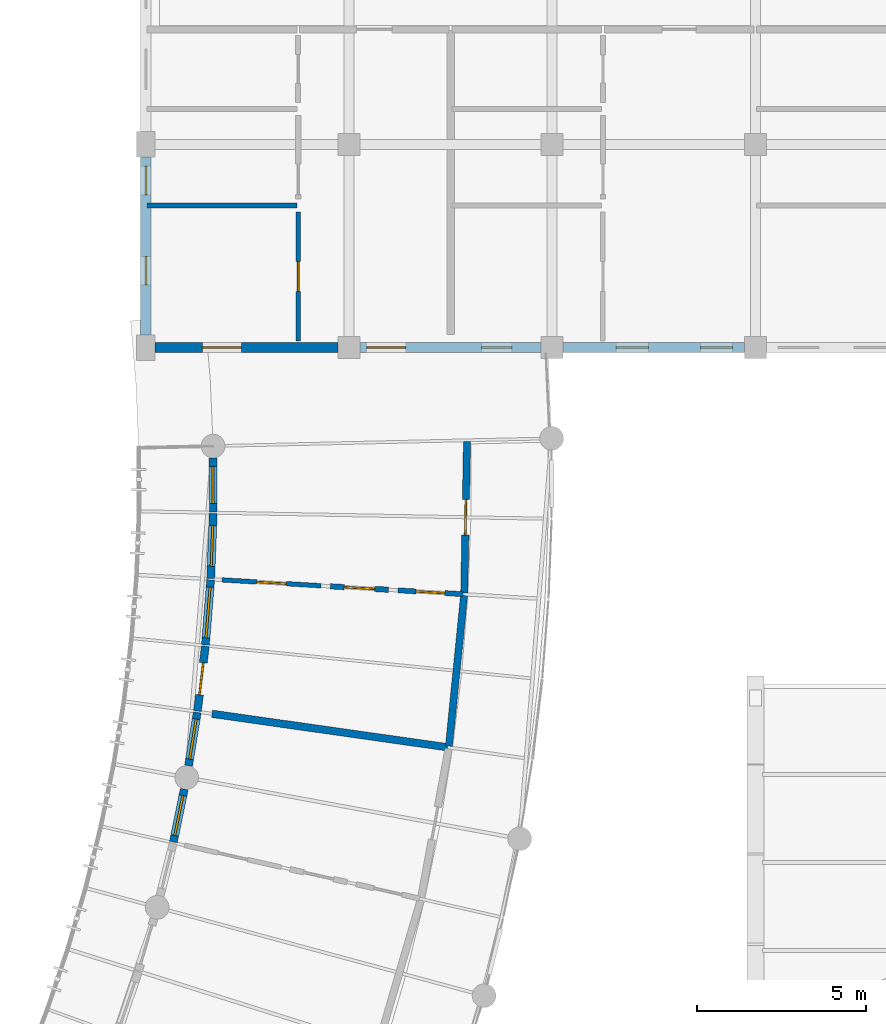
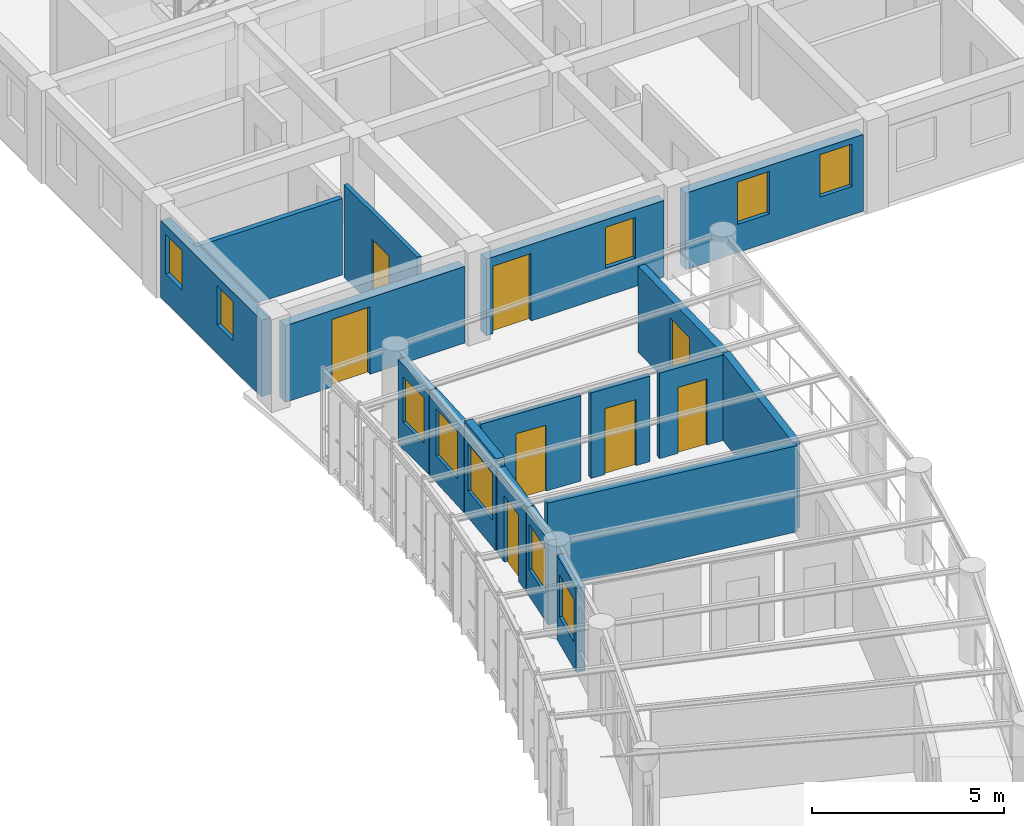
# One storey, part 87 of 123: 18 walls, 10 windows, 8 doors, 18 openings.
"""IFC4 building model written with IfcOpenShell, lengths in metres."""

from ifc_helpers import new_model, si_unit, direction, frame, frame_2d, origin, place, context, subcontext, project, spatial, rectangle, extrude, material, layer, layer_set, type_object, element, fill, save


model = new_model("IFC4")

# Units and contexts
model_context = context("Model", 3, precision=1e-05, world=origin(), true_north=direction((0.0, 1.0)))
body_context = subcontext(model_context, "Body", "Model", "MODEL_VIEW")
ifc_project = project(units=[si_unit("LENGTHUNIT", "METRE"), si_unit("AREAUNIT", "SQUARE_METRE"), si_unit("VOLUMEUNIT", "CUBIC_METRE"), si_unit("PLANEANGLEUNIT", "RADIAN"), si_unit("MASSUNIT", "GRAM", prefix="KILO"), si_unit("POWERUNIT", "WATT"), si_unit("THERMODYNAMICTEMPERATUREUNIT", "KELVIN")], contexts=[model_context])

# Site, building, storey
site_placement = place(None, origin())
site = spatial("IfcSite", under=ifc_project, at=site_placement, CompositionType="ELEMENT")
building_placement = place(site_placement, origin())
building = spatial("IfcBuilding", under=site, at=building_placement, Name="Ruvembo Vaulted Housing Court", CompositionType="ELEMENT")
storey_placement = place(building_placement, frame((0.0, 0.0, 7.699951171875)))
storey = spatial("IfcBuildingStorey", under=building, at=storey_placement, Name="L02", CompositionType="ELEMENT", Elevation=7.699951171875)

# Wall
ifc_material_1 = material(Name="Concrete Blockwork 210", Category="masonry")
ifc_layer_1 = layer(ifc_material_1, 0.2099609375, Name="Concrete Blockwork 210")
ifc_layer_set_1 = layer_set([ifc_layer_1], Name="Concrete Blockwork 210")
wall_type_1 = type_object("IfcWallType", Name="WL-CORR-210", PredefinedType="SOLIDWALL", material=ifc_layer_set_1)
wall_1_placement = place(storey_placement, frame((56.9521484375, 66.232421875, 0.0), z_axis=(0.0, 0.0, 1.0), x_axis=(0.099963674738, 0.994991087263, 0.0)))
element("IfcWall", 1, at=wall_1_placement, inside=storey, type_object=wall_type_1, Name="L02 Suite SC1-L02-U4 Gallery Wall WL-INT-L02-00700", PredefinedType="SOLIDWALL", context=body_context, shape_type="SweptSolid", body=[
    extrude(rectangle(XDim=4.467041015625, YDim=0.2099609375, at=frame_2d((2.2333984375, 0.0))), origin(), (0.0, 0.0, 1.0), 2.761962890625),
])

# Wall, opening, door
wall_2_placement = place(storey_placement, frame((57.403564453125, 70.7568359375, 0.0), z_axis=(0.0, 0.0, 1.0), x_axis=(0.018198680075, 0.999834390308, 0.0)))
wall_2 = element("IfcWall", 2, at=wall_2_placement, inside=storey, type_object=wall_type_1, Name="L02 Suite SC1-L02-U4 Entrance WL-INT-L02-00701", PredefinedType="SOLIDWALL", context=body_context, shape_type="SweptSolid", body=[
    extrude(rectangle(XDim=4.46728515625, YDim=0.2099609375, at=frame_2d((2.233642578125, 0.0))), origin(), (0.0, 0.0, 1.0), 2.741943359375),
])
opening_1_placement = place(wall_2_placement, frame((1.70849609375, 0.0, 0.0)))
opening_1 = element("IfcOpeningElement", 3, at=opening_1_placement, cuts=wall_2, Name="Opening FD3", PredefinedType="OPENING", context=body_context, shape_type="SweptSolid", body=[
    extrude(rectangle(XDim=1.050048828125, YDim=2.14990234375, at=frame_2d((0.52490234375, 1.074951171875))), frame((0.0, 0.114990234375, 0.0), z_axis=(0.0, -1.0, 0.0), x_axis=(1.0, 0.0, 0.0)), (0.0, 0.0, 1.0), 0.22998046875),
])
ifc_material_2 = material(Name="FSC Hardwood and Engineered Timber", Category="wood")
door_type_1 = type_object("IfcDoorType", Name="DR-FLAT-1050x2150", OperationType="NOTDEFINED", PredefinedType="DOOR", material=ifc_material_2)
door_1_placement = place(opening_1_placement, origin())
door_1 = element("IfcDoor", 4, at=door_1_placement, inside=storey, type_object=door_type_1, Name="L02 Suite SC1-L02-U4 Entrance Door DR-INT-L02-00380", OperationType="SINGLE_SWING_RIGHT", OverallHeight=2.14990234375, OverallWidth=1.050048828125, PredefinedType="DOOR", context=body_context, shape_type="SweptSolid", body=[
    extrude(rectangle(XDim=1.050048828125, YDim=2.14990234375, at=frame_2d((0.52490234375, 1.074951171875))), frame((0.0, 0.02490234375, 0.0), z_axis=(0.0, -1.0, 0.0), x_axis=(1.0, 0.0, 0.0)), (0.0, 0.0, 1.0), 0.050048828125),
])
fill(opening_1, door_1)

# Wall
ifc_material_3 = material(Name="Acoustic Masonry Demising 220", Category="masonry")
ifc_layer_2 = layer(ifc_material_3, 0.219970703125, Name="Acoustic Masonry Demising 220")
ifc_layer_set_2 = layer_set([ifc_layer_2], Name="Acoustic Masonry Demising 220")
wall_type_2 = type_object("IfcWallType", Name="WL-DEM-200", PredefinedType="SOLIDWALL", material=ifc_layer_set_2)
wall_3_placement = place(storey_placement, frame((49.958251953125, 67.185791015625, 0.0), z_axis=(0.0, 0.0, 1.0), x_axis=(0.990050789243, -0.140710464145, 0.0)))
element("IfcWall", 5, at=wall_3_placement, inside=storey, type_object=wall_type_2, Name="L02 Suite SC1-L02-U3 Demising WL-INT-L02-00699", PredefinedType="SOLIDWALL", context=body_context, shape_type="SweptSolid", body=[
    extrude(rectangle(XDim=7.02001953125, YDim=0.219970703125, at=frame_2d((3.510009765625, 0.0))), origin(), (0.0, 0.0, 1.0), 2.741943359375),
])

# Wall, opening, window
ifc_material_4 = material(Name="Rendered Masonry 235", Category="masonry")
ifc_layer_3 = layer(ifc_material_4, 0.235107421875, Name="Rendered Masonry 235")
ifc_layer_set_3 = layer_set([ifc_layer_3], Name="Rendered Masonry 235")
wall_type_3 = type_object("IfcWallType", Name="WL-EXT-235", PredefinedType="STANDARD", material=ifc_layer_set_3)
wall_4_placement = place(storey_placement, frame((48.814453125, 63.3994140625, 0.0), z_axis=(0.0, 0.0, 1.0), x_axis=(0.201199946108, 0.979550193551, 0.0)))
wall_4 = element("IfcWall", 6, at=wall_4_placement, inside=storey, type_object=wall_type_3, Name="Scoop SC1 L02 Concave Balcony Wall 13", PredefinedType="STANDARD", context=body_context, shape_type="SweptSolid", body=[
    extrude(rectangle(XDim=1.596923828125, YDim=0.235107421875, at=frame_2d((0.79833984375, 0.0))), origin(), (0.0, 0.0, 1.0), 2.68408203125),
])
opening_2_placement = place(wall_4_placement, frame((0.198486328125, 0.0, 0.85009765625)))
opening_2 = element("IfcOpeningElement", 7, at=opening_2_placement, cuts=wall_4, Name="Opening W12", PredefinedType="OPENING", context=body_context, shape_type="SweptSolid", body=[
    extrude(rectangle(XDim=1.199951171875, YDim=1.35009765625, at=frame_2d((0.60009765625, 0.675048828125))), frame((0.0, 0.12744140625, 0.0), z_axis=(0.0, -1.0, 0.0), x_axis=(1.0, 0.0, 0.0)), (0.0, 0.0, 1.0), 0.255126953125),
])
ifc_material_5 = material(Name="Double Solar-Control Glazing in Aluminium Frame", Category="aluminium")
window_type_1 = type_object("IfcWindowType", Name="WIN-1200x1350", PartitioningType="SINGLE_PANEL", PredefinedType="WINDOW", material=ifc_material_5)
window_1_placement = place(opening_2_placement, origin())
window_1 = element("IfcWindow", 8, at=window_1_placement, inside=storey, type_object=window_type_1, Name="Scoop SC1 L02 Concave Window 13", OverallHeight=1.35009765625, OverallWidth=1.199951171875, PartitioningType="SINGLE_PANEL", PredefinedType="WINDOW", context=body_context, shape_type="SweptSolid", body=[
    extrude(rectangle(XDim=1.199951171875, YDim=1.35009765625, at=frame_2d((0.60009765625, 0.675048828125))), frame((0.0, 0.030029296875, 0.0), z_axis=(0.0, -1.0, 0.0), x_axis=(1.0, 0.0, 0.0)), (0.0, 0.0, 1.0), 0.06005859375),
])
fill(opening_2, window_1)

wall_5_placement = place(storey_placement, frame((49.262451171875, 65.65185546875, 0.0), z_axis=(0.0, 0.0, 1.0), x_axis=(0.16100120568, 0.986954209561, 0.0)))
wall_5 = element("IfcWall", 9, at=wall_5_placement, inside=storey, type_object=wall_type_3, Name="Scoop SC1 L02 Concave Balcony Wall 14", PredefinedType="STANDARD", context=body_context, shape_type="SweptSolid", body=[
    extrude(rectangle(XDim=1.5966796875, YDim=0.235107421875, at=frame_2d((0.79833984375, 0.0))), origin(), (0.0, 0.0, 1.0), 2.68408203125),
])
opening_3_placement = place(wall_5_placement, frame((0.198486328125, 0.0, 0.85009765625)))
opening_3 = element("IfcOpeningElement", 10, at=opening_3_placement, cuts=wall_5, Name="Opening W13", PredefinedType="OPENING", context=body_context, shape_type="SweptSolid", body=[
    extrude(rectangle(XDim=1.199951171875, YDim=1.449951171875, at=frame_2d((0.60009765625, 0.72509765625))), frame((0.0, 0.12744140625, 0.0), z_axis=(0.0, -1.0, 0.0), x_axis=(1.0, 0.0, 0.0)), (0.0, 0.0, 1.0), 0.255126953125),
])
window_type_2 = type_object("IfcWindowType", Name="WIN-1200x1450", PartitioningType="SINGLE_PANEL", PredefinedType="WINDOW", material=ifc_material_5)
window_2_placement = place(opening_3_placement, origin())
window_2 = element("IfcWindow", 11, at=window_2_placement, inside=storey, type_object=window_type_2, Name="Scoop SC1 L02 Concave Window 14", OverallHeight=1.449951171875, OverallWidth=1.199951171875, PartitioningType="SINGLE_PANEL", PredefinedType="WINDOW", context=body_context, shape_type="SweptSolid", body=[
    extrude(rectangle(XDim=1.199951171875, YDim=1.449951171875, at=frame_2d((0.60009765625, 0.72509765625))), frame((0.0, 0.030029296875, 0.0), z_axis=(0.0, -1.0, 0.0), x_axis=(1.0, 0.0, 0.0)), (0.0, 0.0, 1.0), 0.06005859375),
])
fill(opening_3, window_2)

# Wall, opening, door
wall_6_placement = place(storey_placement, frame((49.525146484375, 67.267578125, 0.0), z_axis=(0.0, 0.0, 1.0), x_axis=(0.120384349076, 0.992727358592, 0.0)))
wall_6 = element("IfcWall", 12, at=wall_6_placement, inside=storey, type_object=wall_type_3, Name="Scoop SC1 L02 Concave Balcony Wall 15", PredefinedType="STANDARD", context=body_context, shape_type="SweptSolid", body=[
    extrude(rectangle(XDim=1.926513671875, YDim=0.235107421875, at=frame_2d((0.96337890625, 0.0))), origin(), (0.0, 0.0, 1.0), 2.68408203125),
])
opening_4_placement = place(wall_6_placement, frame((0.48828125, 0.0, 0.0)))
opening_4 = element("IfcOpeningElement", 13, at=opening_4_placement, cuts=wall_6, Name="Opening BD0", PredefinedType="OPENING", context=body_context, shape_type="SweptSolid", body=[
    extrude(rectangle(XDim=0.949951171875, YDim=2.1201171875, at=frame_2d((0.47509765625, 1.06005859375))), frame((0.0, 0.12744140625, 0.0), z_axis=(0.0, -1.0, 0.0), x_axis=(1.0, 0.0, 0.0)), (0.0, 0.0, 1.0), 0.255126953125),
])
ifc_material_6 = material(Name="Thermally Broken Glazed Aluminium", Category="aluminium")
door_type_2 = type_object("IfcDoorType", Name="DR-BAL-0950x2120", OperationType="NOTDEFINED", PredefinedType="DOOR", material=ifc_material_6)
door_2_placement = place(opening_4_placement, origin())
door_2 = element("IfcDoor", 14, at=door_2_placement, inside=storey, type_object=door_type_2, Name="Scoop SC1 L02 Balcony Door 15", OperationType="SINGLE_SWING_LEFT", OverallHeight=2.1201171875, OverallWidth=0.949951171875, PredefinedType="DOOR", context=body_context, shape_type="SweptSolid", body=[
    extrude(rectangle(XDim=0.949951171875, YDim=2.1201171875, at=frame_2d((0.47509765625, 1.06005859375))), frame((0.0, 0.02490234375, 0.0), z_axis=(0.0, -1.0, 0.0), x_axis=(1.0, 0.0, 0.0)), (0.0, 0.0, 1.0), 0.050048828125),
])
fill(opening_4, door_2)

# Wall, opening, window
wall_7_placement = place(storey_placement, frame((49.760986328125, 69.219970703125, 0.0), z_axis=(0.0, 0.0, 1.0), x_axis=(0.079573991137, 0.996828962227, 0.0)))
wall_7 = element("IfcWall", 15, at=wall_7_placement, inside=storey, type_object=wall_type_3, Name="Scoop SC1 L02 Concave Balcony Wall 16", PredefinedType="STANDARD", context=body_context, shape_type="SweptSolid", body=[
    extrude(rectangle(XDim=1.9267578125, YDim=0.235107421875, at=frame_2d((0.96337890625, 0.0))), origin(), (0.0, 0.0, 1.0), 2.947998046875),
])
opening_5_placement = place(wall_7_placement, frame((0.21337890625, 0.0, 0.85009765625)))
opening_5 = element("IfcOpeningElement", 16, at=opening_5_placement, cuts=wall_7, Name="Opening W19", PredefinedType="OPENING", context=body_context, shape_type="SweptSolid", body=[
    extrude(rectangle(XDim=1.5, YDim=1.5, at=frame_2d((0.75, 0.75))), frame((0.0, 0.12744140625, 0.0), z_axis=(0.0, -1.0, 0.0), x_axis=(1.0, 0.0, 0.0)), (0.0, 0.0, 1.0), 0.255126953125),
])
window_type_3 = type_object("IfcWindowType", Name="WIN-1500x1500", PartitioningType="SINGLE_PANEL", PredefinedType="WINDOW", material=ifc_material_5)
window_3_placement = place(opening_5_placement, origin())
window_3 = element("IfcWindow", 17, at=window_3_placement, inside=storey, type_object=window_type_3, Name="Scoop SC1 L02 Concave Window 16", OverallHeight=1.5, OverallWidth=1.5, PartitioningType="SINGLE_PANEL", PredefinedType="WINDOW", context=body_context, shape_type="SweptSolid", body=[
    extrude(rectangle(XDim=1.5, YDim=1.5, at=frame_2d((0.75, 0.75))), frame((0.0, 0.030029296875, 0.0), z_axis=(0.0, -1.0, 0.0), x_axis=(1.0, 0.0, 0.0)), (0.0, 0.0, 1.0), 0.06005859375),
])
fill(opening_5, window_3)

wall_8_placement = place(storey_placement, frame((49.916748046875, 71.1806640625, 0.0), z_axis=(0.0, 0.0, 1.0), x_axis=(0.038647240614, 0.999252916329, 0.0)))
wall_8 = element("IfcWall", 18, at=wall_8_placement, inside=storey, type_object=wall_type_3, Name="Scoop SC1 L02 Concave Balcony Wall 17", PredefinedType="STANDARD", context=body_context, shape_type="SweptSolid", body=[
    extrude(rectangle(XDim=1.9267578125, YDim=0.235107421875, at=frame_2d((0.96337890625, 0.0))), origin(), (0.0, 0.0, 1.0), 2.68408203125),
])
opening_6_placement = place(wall_8_placement, frame((0.36328125, 0.0, 0.85009765625)))
opening_6 = element("IfcOpeningElement", 19, at=opening_6_placement, cuts=wall_8, Name="Opening W14", PredefinedType="OPENING", context=body_context, shape_type="SweptSolid", body=[
    extrude(rectangle(XDim=1.199951171875, YDim=1.5, at=frame_2d((0.60009765625, 0.75))), frame((0.0, 0.12744140625, 0.0), z_axis=(0.0, -1.0, 0.0), x_axis=(1.0, 0.0, 0.0)), (0.0, 0.0, 1.0), 0.255126953125),
])
window_type_4 = type_object("IfcWindowType", Name="WIN-1200x1500", PartitioningType="SINGLE_PANEL", PredefinedType="WINDOW", material=ifc_material_5)
window_4_placement = place(opening_6_placement, origin())
window_4 = element("IfcWindow", 20, at=window_4_placement, inside=storey, type_object=window_type_4, Name="Scoop SC1 L02 Concave Window 17", OverallHeight=1.5, OverallWidth=1.199951171875, PartitioningType="SINGLE_PANEL", PredefinedType="WINDOW", context=body_context, shape_type="SweptSolid", body=[
    extrude(rectangle(XDim=1.199951171875, YDim=1.5, at=frame_2d((0.60009765625, 0.75))), frame((0.0, 0.030029296875, 0.0), z_axis=(0.0, -1.0, 0.0), x_axis=(1.0, 0.0, 0.0)), (0.0, 0.0, 1.0), 0.06005859375),
])
fill(opening_6, window_4)

wall_9_placement = place(storey_placement, frame((49.991943359375, 73.14599609375, 0.0), z_axis=(0.0, 0.0, 1.0), x_axis=(-0.002293571949, 0.99999736976, 0.0)))
wall_9 = element("IfcWall", 21, at=wall_9_placement, inside=storey, type_object=wall_type_3, Name="Scoop SC1 L02 Concave Balcony Wall 18", PredefinedType="STANDARD", context=body_context, shape_type="SweptSolid", body=[
    extrude(rectangle(XDim=1.5966796875, YDim=0.235107421875, at=frame_2d((0.79833984375, 0.0))), origin(), (0.0, 0.0, 1.0), 2.68408203125),
])
opening_7_placement = place(wall_9_placement, frame((0.248291015625, 0.0, 0.85009765625)))
opening_7 = element("IfcOpeningElement", 22, at=opening_7_placement, cuts=wall_9, Name="Opening W10", PredefinedType="OPENING", context=body_context, shape_type="SweptSolid", body=[
    extrude(rectangle(XDim=1.10009765625, YDim=1.449951171875, at=frame_2d((0.550048828125, 0.72509765625))), frame((0.0, 0.12744140625, 0.0), z_axis=(0.0, -1.0, 0.0), x_axis=(1.0, 0.0, 0.0)), (0.0, 0.0, 1.0), 0.255126953125),
])
window_type_5 = type_object("IfcWindowType", Name="WIN-1100x1450", PartitioningType="SINGLE_PANEL", PredefinedType="WINDOW", material=ifc_material_5)
window_5_placement = place(opening_7_placement, origin())
window_5 = element("IfcWindow", 23, at=window_5_placement, inside=storey, type_object=window_type_5, Name="Scoop SC1 L02 Concave Window 18", OverallHeight=1.449951171875, OverallWidth=1.10009765625, PartitioningType="SINGLE_PANEL", PredefinedType="WINDOW", context=body_context, shape_type="SweptSolid", body=[
    extrude(rectangle(XDim=1.10009765625, YDim=1.449951171875, at=frame_2d((0.550048828125, 0.72509765625))), frame((0.0, 0.030029296875, 0.0), z_axis=(0.0, -1.0, 0.0), x_axis=(1.0, 0.0, 0.0)), (0.0, 0.0, 1.0), 0.06005859375),
])
fill(opening_7, window_5)

# Wall, opening, door
ifc_material_7 = material(Name="Rendered Masonry 300", Category="masonry")
ifc_layer_4 = layer(ifc_material_7, 0.300048828125, Name="Rendered Masonry 300")
ifc_layer_set_4 = layer_set([ifc_layer_4], Name="Rendered Masonry 300")
wall_type_4 = type_object("IfcWallType", Name="WL-EXT-300", PredefinedType="STANDARD", material=ifc_layer_set_4)
wall_10_placement = place(storey_placement, frame((48.27490234375, 78.0, 0.0), z_axis=(0.0, 0.0, 1.0), x_axis=(1.0, 0.0, 0.0)))
wall_10 = element("IfcWall", 24, at=wall_10_placement, inside=storey, type_object=wall_type_4, Name="Block B L02 Exterior Wall COURTYARD #1", PredefinedType="STANDARD", context=body_context, shape_type="SweptSolid", body=[
    extrude(rectangle(XDim=5.400146484375, YDim=0.300048828125, at=frame_2d((2.7001953125, 0.0))), origin(), (0.0, 0.0, 1.0), 2.43701171875),
])
opening_8_placement = place(wall_10_placement, frame((1.397705078125, 0.0, 0.0)))
opening_8 = element("IfcOpeningElement", 25, at=opening_8_placement, cuts=wall_10, Name="Opening GD1", PredefinedType="OPENING", context=body_context, shape_type="SweptSolid", body=[
    extrude(rectangle(XDim=1.14990234375, YDim=2.14990234375, at=frame_2d((0.574951171875, 1.074951171875))), frame((0.0, 0.159912109375, 0.0), z_axis=(0.0, -1.0, 0.0), x_axis=(1.0, 0.0, 0.0)), (0.0, 0.0, 1.0), 0.320068359375),
])
door_type_3 = type_object("IfcDoorType", Name="DR-GAL-1150x2150", OperationType="NOTDEFINED", PredefinedType="DOOR", material=ifc_material_6)
door_3_placement = place(opening_8_placement, frame((1.14990234375, 0.0, 0.0), z_axis=(0.0, 0.0, 1.0), x_axis=(-1.0, 0.0, 0.0)))
door_3 = element("IfcDoor", 26, at=door_3_placement, inside=storey, type_object=door_type_3, Name="Block B L02 Terrace or Gallery Door DR-TER-B-L02-031", OperationType="SINGLE_SWING_RIGHT", OverallHeight=2.14990234375, OverallWidth=1.14990234375, PredefinedType="DOOR", context=body_context, shape_type="SweptSolid", body=[
    extrude(rectangle(XDim=1.14990234375, YDim=2.14990234375, at=frame_2d((0.574951171875, 1.074951171875))), frame((0.0, 0.02490234375, 0.0), z_axis=(0.0, -1.0, 0.0), x_axis=(1.0, 0.0, 0.0)), (0.0, 0.0, 1.0), 0.050048828125),
])
fill(opening_8, door_3)

# Wall, openings, door, window
wall_11_placement = place(storey_placement, frame((54.324951171875, 78.0, 0.0), z_axis=(0.0, 0.0, 1.0), x_axis=(1.0, 0.0, 0.0)))
wall_11 = element("IfcWall", 27, at=wall_11_placement, inside=storey, type_object=wall_type_4, Name="Block B L02 Exterior Wall COURTYARD #2", PredefinedType="STANDARD", context=body_context, shape_type="SweptSolid", body=[
    extrude(rectangle(XDim=5.35009765625, YDim=0.300048828125, at=frame_2d((2.675048828125, 0.0))), origin(), (0.0, 0.0, 1.0), 2.43701171875),
])
opening_9_placement = place(wall_11_placement, frame((0.199951171875, 0.0, 0.0)))
opening_9 = element("IfcOpeningElement", 28, at=opening_9_placement, cuts=wall_11, Name="Opening GD1", PredefinedType="OPENING", context=body_context, shape_type="SweptSolid", body=[
    extrude(rectangle(XDim=1.14990234375, YDim=2.14990234375, at=frame_2d((0.574951171875, 1.074951171875))), frame((0.0, 0.159912109375, 0.0), z_axis=(0.0, -1.0, 0.0), x_axis=(1.0, 0.0, 0.0)), (0.0, 0.0, 1.0), 0.320068359375),
])
opening_10_placement = place(wall_11_placement, frame((3.58251953125, 0.0, 0.89990234375)))
opening_10 = element("IfcOpeningElement", 29, at=opening_10_placement, cuts=wall_11, Name="Opening W04", PredefinedType="OPENING", context=body_context, shape_type="SweptSolid", body=[
    extrude(rectangle(XDim=0.89990234375, YDim=1.300048828125, at=frame_2d((0.449951171875, 0.64990234375))), frame((0.0, 0.159912109375, 0.0), z_axis=(0.0, -1.0, 0.0), x_axis=(1.0, 0.0, 0.0)), (0.0, 0.0, 1.0), 0.320068359375),
])
door_4_placement = place(opening_9_placement, frame((1.14990234375, 0.0, 0.0), z_axis=(0.0, 0.0, 1.0), x_axis=(-1.0, 0.0, 0.0)))
door_4 = element("IfcDoor", 30, at=door_4_placement, inside=storey, type_object=door_type_3, Name="Block B L02 Terrace or Gallery Door DR-TER-B-L02-032", OperationType="SINGLE_SWING_LEFT", OverallHeight=2.14990234375, OverallWidth=1.14990234375, PredefinedType="DOOR", context=body_context, shape_type="SweptSolid", body=[
    extrude(rectangle(XDim=1.14990234375, YDim=2.14990234375, at=frame_2d((0.574951171875, 1.074951171875))), frame((0.0, 0.02490234375, 0.0), z_axis=(0.0, -1.0, 0.0), x_axis=(1.0, 0.0, 0.0)), (0.0, 0.0, 1.0), 0.050048828125),
])
fill(opening_9, door_4)
window_type_6 = type_object("IfcWindowType", Name="WIN-0900x1300", PartitioningType="SINGLE_PANEL", PredefinedType="WINDOW", material=ifc_material_5)
window_6_placement = place(opening_10_placement, origin())
window_6 = element("IfcWindow", 31, at=window_6_placement, inside=storey, type_object=window_type_6, Name="Block B L02 Window #686", OverallHeight=1.300048828125, OverallWidth=0.89990234375, PartitioningType="SINGLE_PANEL", PredefinedType="WINDOW", context=body_context, shape_type="SweptSolid", body=[
    extrude(rectangle(XDim=0.89990234375, YDim=1.300048828125, at=frame_2d((0.449951171875, 0.64990234375))), frame((0.0, 0.030029296875, 0.0), z_axis=(0.0, -1.0, 0.0), x_axis=(1.0, 0.0, 0.0)), (0.0, 0.0, 1.0), 0.06005859375),
])
fill(opening_10, window_6)

# Wall, openings, windows
wall_12_placement = place(storey_placement, frame((60.324951171875, 78.0, 0.0), z_axis=(0.0, 0.0, 1.0), x_axis=(1.0, 0.0, 0.0)))
wall_12 = element("IfcWall", 32, at=wall_12_placement, inside=storey, type_object=wall_type_4, Name="Block B L02 Exterior Wall COURTYARD #3", PredefinedType="STANDARD", context=body_context, shape_type="SweptSolid", body=[
    extrude(rectangle(XDim=5.35009765625, YDim=0.300048828125, at=frame_2d((2.675048828125, 0.0))), origin(), (0.0, 0.0, 1.0), 2.43701171875),
])
opening_11_placement = place(wall_12_placement, frame((1.56494140625, 0.0, 0.89990234375)))
opening_11 = element("IfcOpeningElement", 33, at=opening_11_placement, cuts=wall_12, Name="Opening W07", PredefinedType="OPENING", context=body_context, shape_type="SweptSolid", body=[
    extrude(rectangle(XDim=0.949951171875, YDim=1.35009765625, at=frame_2d((0.47509765625, 0.675048828125))), frame((0.0, 0.159912109375, 0.0), z_axis=(0.0, -1.0, 0.0), x_axis=(1.0, 0.0, 0.0)), (0.0, 0.0, 1.0), 0.320068359375),
])
opening_12_placement = place(wall_12_placement, frame((4.050048828125, 0.0, 0.89990234375)))
opening_12 = element("IfcOpeningElement", 34, at=opening_12_placement, cuts=wall_12, Name="Opening W07", PredefinedType="OPENING", context=body_context, shape_type="SweptSolid", body=[
    extrude(rectangle(XDim=0.949951171875, YDim=1.35009765625, at=frame_2d((0.47509765625, 0.675048828125))), frame((0.0, 0.159912109375, 0.0), z_axis=(0.0, -1.0, 0.0), x_axis=(1.0, 0.0, 0.0)), (0.0, 0.0, 1.0), 0.320068359375),
])
window_type_7 = type_object("IfcWindowType", Name="WIN-0950x1350", PartitioningType="SINGLE_PANEL", PredefinedType="WINDOW", material=ifc_material_5)
window_7_placement = place(opening_11_placement, origin())
window_7 = element("IfcWindow", 35, at=window_7_placement, inside=storey, type_object=window_type_7, Name="Block B L02 Window #687", OverallHeight=1.35009765625, OverallWidth=0.949951171875, PartitioningType="SINGLE_PANEL", PredefinedType="WINDOW", context=body_context, shape_type="SweptSolid", body=[
    extrude(rectangle(XDim=0.949951171875, YDim=1.35009765625, at=frame_2d((0.47509765625, 0.675048828125))), frame((0.0, 0.030029296875, 0.0), z_axis=(0.0, -1.0, 0.0), x_axis=(1.0, 0.0, 0.0)), (0.0, 0.0, 1.0), 0.06005859375),
])
fill(opening_11, window_7)
window_8_placement = place(opening_12_placement, origin())
window_8 = element("IfcWindow", 36, at=window_8_placement, inside=storey, type_object=window_type_7, Name="Block B L02 Window #688", OverallHeight=1.35009765625, OverallWidth=0.949951171875, PartitioningType="SINGLE_PANEL", PredefinedType="WINDOW", context=body_context, shape_type="SweptSolid", body=[
    extrude(rectangle(XDim=0.949951171875, YDim=1.35009765625, at=frame_2d((0.47509765625, 0.675048828125))), frame((0.0, 0.030029296875, 0.0), z_axis=(0.0, -1.0, 0.0), x_axis=(1.0, 0.0, 0.0)), (0.0, 0.0, 1.0), 0.06005859375),
])
fill(opening_12, window_8)

wall_13_placement = place(storey_placement, frame((48.0, 83.625, 0.0), z_axis=(0.0, 0.0, 1.0), x_axis=(0.0, -1.0, 0.0)))
wall_13 = element("IfcWall", 37, at=wall_13_placement, inside=storey, type_object=wall_type_4, Name="Block B L02 Exterior Wall WEST #6", PredefinedType="STANDARD", context=body_context, shape_type="SweptSolid", body=[
    extrude(rectangle(XDim=5.25, YDim=0.300048828125, at=frame_2d((2.625, 0.0))), origin(), (0.0, 0.0, 1.0), 2.43701171875),
])
opening_13_placement = place(wall_13_placement, frame((0.267578125, 0.0, 0.89990234375)))
opening_13 = element("IfcOpeningElement", 38, at=opening_13_placement, cuts=wall_13, Name="Opening W03", PredefinedType="OPENING", context=body_context, shape_type="SweptSolid", body=[
    extrude(rectangle(XDim=0.85009765625, YDim=1.25, at=frame_2d((0.425048828125, 0.625))), frame((0.0, 0.159912109375, 0.0), z_axis=(0.0, -1.0, 0.0), x_axis=(1.0, 0.0, 0.0)), (0.0, 0.0, 1.0), 0.320068359375),
])
opening_14_placement = place(wall_13_placement, frame((2.9326171875, 0.0, 0.89990234375)))
opening_14 = element("IfcOpeningElement", 39, at=opening_14_placement, cuts=wall_13, Name="Opening W03", PredefinedType="OPENING", context=body_context, shape_type="SweptSolid", body=[
    extrude(rectangle(XDim=0.85009765625, YDim=1.25, at=frame_2d((0.425048828125, 0.625))), frame((0.0, 0.159912109375, 0.0), z_axis=(0.0, -1.0, 0.0), x_axis=(1.0, 0.0, 0.0)), (0.0, 0.0, 1.0), 0.320068359375),
])
window_type_8 = type_object("IfcWindowType", Name="WIN-0850x1250", PartitioningType="SINGLE_PANEL", PredefinedType="WINDOW", material=ifc_material_5)
window_9_placement = place(opening_13_placement, origin())
window_9 = element("IfcWindow", 40, at=window_9_placement, inside=storey, type_object=window_type_8, Name="Block B L02 Window #726", OverallHeight=1.25, OverallWidth=0.85009765625, PartitioningType="SINGLE_PANEL", PredefinedType="WINDOW", context=body_context, shape_type="SweptSolid", body=[
    extrude(rectangle(XDim=0.85009765625, YDim=1.25, at=frame_2d((0.425048828125, 0.625))), frame((0.0, 0.030029296875, 0.0), z_axis=(0.0, -1.0, 0.0), x_axis=(1.0, 0.0, 0.0)), (0.0, 0.0, 1.0), 0.06005859375),
])
fill(opening_13, window_9)
window_10_placement = place(opening_14_placement, origin())
window_10 = element("IfcWindow", 41, at=window_10_placement, inside=storey, type_object=window_type_8, Name="Block B L02 Window #727", OverallHeight=1.25, OverallWidth=0.85009765625, PartitioningType="SINGLE_PANEL", PredefinedType="WINDOW", context=body_context, shape_type="SweptSolid", body=[
    extrude(rectangle(XDim=0.85009765625, YDim=1.25, at=frame_2d((0.425048828125, 0.625))), frame((0.0, 0.030029296875, 0.0), z_axis=(0.0, -1.0, 0.0), x_axis=(1.0, 0.0, 0.0)), (0.0, 0.0, 1.0), 0.06005859375),
])
fill(opening_14, window_10)

# Wall, opening, door
ifc_material_8 = material(Name="Plasterboard Stud Partition 125", Category="gypsum")
ifc_layer_5 = layer(ifc_material_8, 0.125, Name="Plasterboard Stud Partition 125")
ifc_layer_set_5 = layer_set([ifc_layer_5], Name="Plasterboard Stud Partition 125")
wall_type_5 = type_object("IfcWallType", Name="WL-PART-125", PredefinedType="PARTITIONING", material=ifc_layer_set_5)
wall_14_placement = place(storey_placement, frame((52.5, 78.18994140625, 0.0), z_axis=(0.0, 0.0, 1.0), x_axis=(0.0, 1.0, 0.0)))
wall_14 = element("IfcWall", 42, at=wall_14_placement, inside=storey, type_object=wall_type_5, Name="L02 Flat B-L02-S1 Bedroom 1 WL-INT-L02-00535", PredefinedType="PARTITIONING", context=body_context, shape_type="SweptSolid", body=[
    extrude(rectangle(XDim=3.820068359375, YDim=0.125, at=frame_2d((1.91015625, 0.0))), origin(), (0.0, 0.0, 1.0), 2.955078125),
])
opening_15_placement = place(wall_14_placement, frame((1.469970703125, 0.0, 0.0)))
opening_15 = element("IfcOpeningElement", 43, at=opening_15_placement, cuts=wall_14, Name="Opening ID3", PredefinedType="OPENING", context=body_context, shape_type="SweptSolid", body=[
    extrude(rectangle(XDim=0.8798828125, YDim=2.10009765625, at=frame_2d((0.43994140625, 1.050048828125))), frame((0.0, 0.072509765625, 0.0), z_axis=(0.0, -1.0, 0.0), x_axis=(1.0, 0.0, 0.0)), (0.0, 0.0, 1.0), 0.14501953125),
])
door_type_4 = type_object("IfcDoorType", Name="DR-ROOM-0880x2100", OperationType="NOTDEFINED", PredefinedType="DOOR", material=ifc_material_2)
door_5_placement = place(opening_15_placement, origin())
door_5 = element("IfcDoor", 44, at=door_5_placement, inside=storey, type_object=door_type_4, Name="L02 Flat B-L02-S1 Bedroom 1 Door DR-INT-L02-00291", OperationType="SINGLE_SWING_LEFT", OverallHeight=2.10009765625, OverallWidth=0.8798828125, PredefinedType="DOOR", context=body_context, shape_type="SweptSolid", body=[
    extrude(rectangle(XDim=0.8798828125, YDim=2.10009765625, at=frame_2d((0.43994140625, 1.050048828125))), frame((0.0, 0.02490234375, 0.0), z_axis=(0.0, -1.0, 0.0), x_axis=(1.0, 0.0, 0.0)), (0.0, 0.0, 1.0), 0.050048828125),
])
fill(opening_15, door_5)

ifc_material_9 = material(Name="Acoustic Stud Partition 135", Category="gypsum")
ifc_layer_6 = layer(ifc_material_9, 0.135009765625, Name="Acoustic Stud Partition 135")
ifc_layer_set_6 = layer_set([ifc_layer_6], Name="Acoustic Stud Partition 135")
wall_type_6 = type_object("IfcWallType", Name="WL-PART-135", PredefinedType="PARTITIONING", material=ifc_layer_set_6)
wall_15_placement = place(storey_placement, frame((50.25537109375, 71.140380859375, 0.0), z_axis=(0.0, 0.0, 1.0), x_axis=(0.998251230611, -0.05911413184, 0.0)))
wall_15 = element("IfcWall", 45, at=wall_15_placement, inside=storey, type_object=wall_type_6, Name="L02 Suite SC1-L02-U4 Bedroom WL-INT-L02-00702", PredefinedType="PARTITIONING", context=body_context, shape_type="SweptSolid", body=[
    extrude(rectangle(XDim=2.919921875, YDim=0.135009765625, at=frame_2d((1.4599609375, 0.0))), origin(), (0.0, 0.0, 1.0), 2.72216796875),
])
opening_16_placement = place(wall_15_placement, frame((1.02001953125, 0.0, 0.0)))
opening_16 = element("IfcOpeningElement", 46, at=opening_16_placement, cuts=wall_15, Name="Opening ID3", PredefinedType="OPENING", context=body_context, shape_type="SweptSolid", body=[
    extrude(rectangle(XDim=0.8798828125, YDim=2.10009765625, at=frame_2d((0.43994140625, 1.050048828125))), frame((0.0, 0.077392578125, 0.0), z_axis=(0.0, -1.0, 0.0), x_axis=(1.0, 0.0, 0.0)), (0.0, 0.0, 1.0), 0.155029296875),
])
door_6_placement = place(opening_16_placement, origin())
door_6 = element("IfcDoor", 47, at=door_6_placement, inside=storey, type_object=door_type_4, Name="L02 Suite SC1-L02-U4 Bedroom Door DR-INT-L02-00381", OperationType="SINGLE_SWING_LEFT", OverallHeight=2.10009765625, OverallWidth=0.8798828125, PredefinedType="DOOR", context=body_context, shape_type="SweptSolid", body=[
    extrude(rectangle(XDim=0.8798828125, YDim=2.10009765625, at=frame_2d((0.43994140625, 1.050048828125))), frame((0.0, 0.02490234375, 0.0), z_axis=(0.0, -1.0, 0.0), x_axis=(1.0, 0.0, 0.0)), (0.0, 0.0, 1.0), 0.050048828125),
])
fill(opening_16, door_6)

# Wall
ifc_material_10 = material(Name="Moisture-Resistant Wet Partition 150", Category="gypsum")
ifc_layer_7 = layer(ifc_material_10, 0.14990234375, Name="Moisture-Resistant Wet Partition 150")
ifc_layer_set_7 = layer_set([ifc_layer_7], Name="Moisture-Resistant Wet Partition 150")
wall_type_7 = type_object("IfcWallType", Name="WL-PART-150", PredefinedType="PARTITIONING", material=ifc_layer_set_7)
wall_16_placement = place(storey_placement, frame((48.0400390625, 82.199951171875, 0.0), z_axis=(0.0, 0.0, 1.0), x_axis=(1.0, 0.0, 0.0)))
element("IfcWall", 48, at=wall_16_placement, inside=storey, type_object=wall_type_7, Name="L02 Flat B-L02-S1 Wet Wall 1 WL-INT-L02-00538", PredefinedType="PARTITIONING", context=body_context, shape_type="SweptSolid", body=[
    extrude(rectangle(XDim=4.419921875, YDim=0.14990234375, at=frame_2d((2.2099609375, 0.0))), origin(), (0.0, 0.0, 1.0), 2.43701171875),
])

# Wall, opening, door
wall_17_placement = place(storey_placement, frame((55.4462890625, 70.832763671875, 0.0), z_axis=(0.0, 0.0, 1.0), x_axis=(0.998250171361, -0.05913201652, 0.0)))
wall_17 = element("IfcWall", 49, at=wall_17_placement, inside=storey, type_object=wall_type_7, Name="L02 Suite SC1-L02-U4 Bathroom WL-INT-L02-00704", PredefinedType="PARTITIONING", context=body_context, shape_type="SweptSolid", body=[
    extrude(rectangle(XDim=1.919921875, YDim=0.14990234375, at=frame_2d((0.9599609375, 0.0))), origin(), (0.0, 0.0, 1.0), 2.72216796875),
])
opening_17_placement = place(wall_17_placement, frame((0.534912109375, 0.0, 0.0)))
opening_17 = element("IfcOpeningElement", 50, at=opening_17_placement, cuts=wall_17, Name="Opening ID2", PredefinedType="OPENING", context=body_context, shape_type="SweptSolid", body=[
    extrude(rectangle(XDim=0.85009765625, YDim=2.10009765625, at=frame_2d((0.425048828125, 1.050048828125))), frame((0.0, 0.0849609375, 0.0), z_axis=(0.0, -1.0, 0.0), x_axis=(1.0, 0.0, 0.0)), (0.0, 0.0, 1.0), 0.169921875),
])
door_type_5 = type_object("IfcDoorType", Name="DR-WET-0850x2100", OperationType="NOTDEFINED", PredefinedType="DOOR", material=ifc_material_2)
door_7_placement = place(opening_17_placement, origin())
door_7 = element("IfcDoor", 51, at=door_7_placement, inside=storey, type_object=door_type_5, Name="L02 Suite SC1-L02-U4 Bathroom Door DR-INT-L02-00383", OperationType="SINGLE_SWING_LEFT", OverallHeight=2.10009765625, OverallWidth=0.85009765625, PredefinedType="DOOR", context=body_context, shape_type="SweptSolid", body=[
    extrude(rectangle(XDim=0.85009765625, YDim=2.10009765625, at=frame_2d((0.425048828125, 1.050048828125))), frame((0.0, 0.02490234375, 0.0), z_axis=(0.0, -1.0, 0.0), x_axis=(1.0, 0.0, 0.0)), (0.0, 0.0, 1.0), 0.050048828125),
])
fill(opening_17, door_7)

ifc_material_11 = material(Name="Acoustic Service Chase Wall 160", Category="gypsum")
ifc_layer_8 = layer(ifc_material_11, 0.159912109375, Name="Acoustic Service Chase Wall 160")
ifc_layer_set_8 = layer_set([ifc_layer_8], Name="Acoustic Service Chase Wall 160")
wall_type_8 = type_object("IfcWallType", Name="WL-PLUMB-160", PredefinedType="PLUMBINGWALL", material=ifc_layer_set_8)
wall_18_placement = place(storey_placement, frame((53.44970703125, 70.951171875, 0.0), z_axis=(0.0, 0.0, 1.0), x_axis=(0.998255232119, -0.059046520199, 0.0)))
wall_18 = element("IfcWall", 52, at=wall_18_placement, inside=storey, type_object=wall_type_8, Name="L02 Suite SC1-L02-U4 Kitchen WL-INT-L02-00703", PredefinedType="PLUMBINGWALL", context=body_context, shape_type="SweptSolid", body=[
    extrude(rectangle(XDim=1.719970703125, YDim=0.159912109375, at=frame_2d((0.85986328125, 0.0))), origin(), (0.0, 0.0, 1.0), 2.72216796875),
])
opening_18_placement = place(wall_18_placement, frame((0.409912109375, 0.0, 0.0)))
opening_18 = element("IfcOpeningElement", 53, at=opening_18_placement, cuts=wall_18, Name="Opening ID1", PredefinedType="OPENING", context=body_context, shape_type="SweptSolid", body=[
    extrude(rectangle(XDim=0.89990234375, YDim=2.10009765625, at=frame_2d((0.449951171875, 1.050048828125))), frame((0.0, 0.08984375, 0.0), z_axis=(0.0, -1.0, 0.0), x_axis=(1.0, 0.0, 0.0)), (0.0, 0.0, 1.0), 0.179931640625),
])
door_type_6 = type_object("IfcDoorType", Name="DR-ROOM-0900x2100", OperationType="NOTDEFINED", PredefinedType="DOOR", material=ifc_material_2)
door_8_placement = place(opening_18_placement, origin())
door_8 = element("IfcDoor", 54, at=door_8_placement, inside=storey, type_object=door_type_6, Name="L02 Suite SC1-L02-U4 Kitchen Door DR-INT-L02-00382", OperationType="SINGLE_SWING_RIGHT", OverallHeight=2.10009765625, OverallWidth=0.89990234375, PredefinedType="DOOR", context=body_context, shape_type="SweptSolid", body=[
    extrude(rectangle(XDim=0.89990234375, YDim=2.10009765625, at=frame_2d((0.449951171875, 1.050048828125))), frame((0.0, 0.02490234375, 0.0), z_axis=(0.0, -1.0, 0.0), x_axis=(1.0, 0.0, 0.0)), (0.0, 0.0, 1.0), 0.050048828125),
])
fill(opening_18, door_8)

save(model, "model.ifc")
